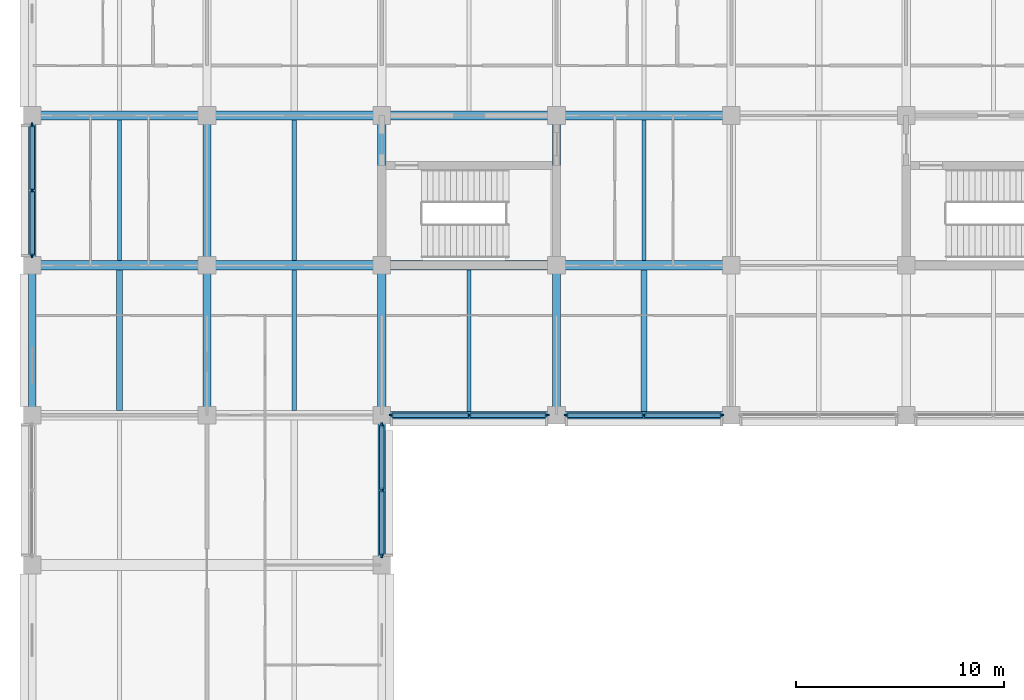
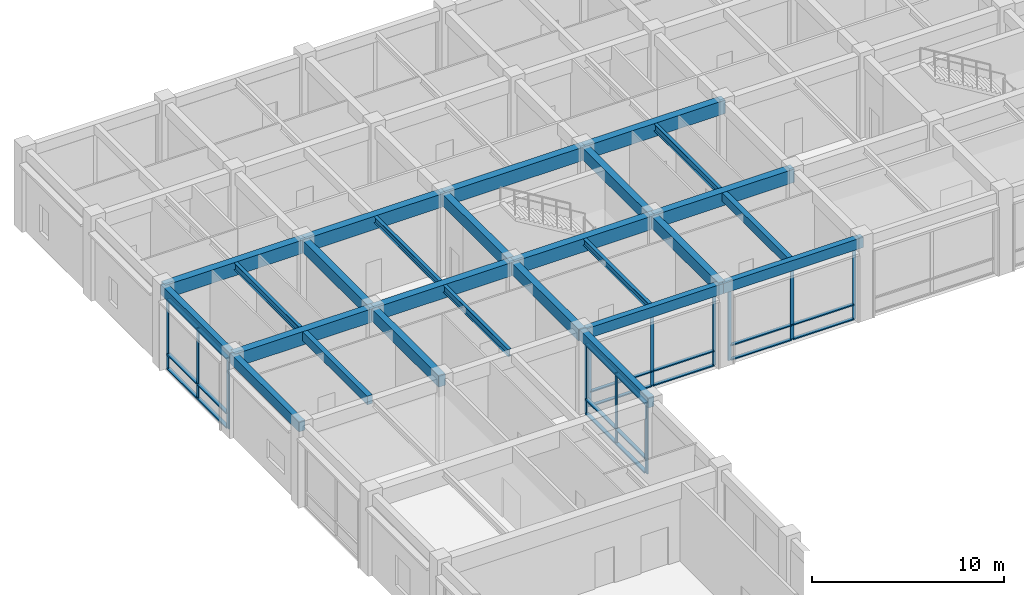
# One storey, part 3 of 51: 36 members, 26 beams, 4 elements without a shape of their own.
"""IFC4 building model written with IfcOpenShell, lengths in metres."""

from ifc_helpers import new_model, si_unit, direction, frame, origin, origin_2d, place, context, subcontext, project, spatial, rectangle, i_section, extrude, material, layer, layer_set, material_profile, profile_set, type_object, element, aggregate, save


model = new_model("IFC4")

# Units and contexts
model_context = context("Model", 3, precision=1e-05, world=origin(), true_north=direction((0.0, 1.0)))
body_context = subcontext(model_context, "Body", "Model", "MODEL_VIEW")
ifc_project = project(units=[si_unit("LENGTHUNIT", "METRE"), si_unit("AREAUNIT", "SQUARE_METRE"), si_unit("VOLUMEUNIT", "CUBIC_METRE"), si_unit("PLANEANGLEUNIT", "RADIAN"), si_unit("MASSUNIT", "GRAM", prefix="KILO")], contexts=[model_context])

# Site, building, storey
site_placement = place(None, origin())
site = spatial("IfcSite", under=ifc_project, at=site_placement, CompositionType="ELEMENT")
building_placement = place(site_placement, origin())
building = spatial("IfcBuilding", under=site, at=building_placement, Name="Chengyuan Square Courthouse", CompositionType="ELEMENT")
storey_placement = place(building_placement, frame((0.0, 0.0, 10.800048828125)))
storey = spatial("IfcBuildingStorey", under=building, at=storey_placement, Name="L03", CompositionType="ELEMENT", Elevation=10.800048828125)

# Beams
ifc_material_1 = material(Name="Concrete C40", Category="concrete")
ifc_material_profile_1 = material_profile(ifc_material_1, rectangle(XDim=0.449951171875, YDim=0.85009765625, at=origin_2d()), Name="RC-BM-450x850")
ifc_profile_set_1 = profile_set([ifc_material_profile_1], Name="Concrete C40")
beam_type_1 = type_object("IfcBeamType", Name="BM-01", PredefinedType="USERDEFINED", material=ifc_profile_set_1)
beam_1_placement = place(storey_placement, frame((0.0, 86.39990234375, 4.695068359375), z_axis=(1.0, 0.0, 0.0), x_axis=(0.0, 1.0, 0.0)))
element("IfcBeam", 1, at=beam_1_placement, inside=storey, type_object=beam_type_1, Name="Girder BM-L03-2544", ObjectType="GIRDER", PredefinedType="USERDEFINED", context=body_context, shape_type="SweptSolid", body=[
    extrude(rectangle(XDim=0.449951171875, YDim=0.85009765625, at=origin_2d()), origin(), (0.0, 0.0, 1.0), 8.39990234375),
])
beam_2_placement = place(storey_placement, frame((8.39990234375, 86.39990234375, 4.695068359375), z_axis=(1.0, 0.0, 0.0), x_axis=(0.0, 1.0, 0.0)))
element("IfcBeam", 2, at=beam_2_placement, inside=storey, type_object=beam_type_1, Name="Girder BM-L03-2545", ObjectType="GIRDER", PredefinedType="USERDEFINED", context=body_context, shape_type="SweptSolid", body=[
    extrude(rectangle(XDim=0.449951171875, YDim=0.85009765625, at=origin_2d()), origin(), (0.0, 0.0, 1.0), 8.400146484375),
])
beam_3_placement = place(storey_placement, frame((16.800048828125, 86.39990234375, 4.695068359375), z_axis=(1.0, 0.0, 0.0), x_axis=(0.0, 1.0, 0.0)))
element("IfcBeam", 3, at=beam_3_placement, inside=storey, type_object=beam_type_1, Name="Girder BM-L03-2546", ObjectType="GIRDER", PredefinedType="USERDEFINED", context=body_context, shape_type="SweptSolid", body=[
    extrude(rectangle(XDim=0.449951171875, YDim=0.85009765625, at=origin_2d()), origin(), (0.0, 0.0, 1.0), 8.39990234375),
])
beam_4_placement = place(storey_placement, frame((25.199951171875, 86.39990234375, 4.695068359375), z_axis=(1.0, 0.0, 0.0), x_axis=(0.0, 1.0, 0.0)))
element("IfcBeam", 4, at=beam_4_placement, inside=storey, type_object=beam_type_1, Name="Girder BM-L03-2547", ObjectType="GIRDER", PredefinedType="USERDEFINED", context=body_context, shape_type="SweptSolid", body=[
    extrude(rectangle(XDim=0.449951171875, YDim=0.85009765625, at=origin_2d()), origin(), (0.0, 0.0, 1.0), 8.400146484375),
])
beam_5_placement = place(storey_placement, frame((0.0, 93.60009765625, 4.695068359375), z_axis=(1.0, 0.0, 0.0), x_axis=(0.0, 1.0, 0.0)))
element("IfcBeam", 5, at=beam_5_placement, inside=storey, type_object=beam_type_1, Name="Girder BM-L03-2564", ObjectType="GIRDER", PredefinedType="USERDEFINED", context=body_context, shape_type="SweptSolid", body=[
    extrude(rectangle(XDim=0.449951171875, YDim=0.85009765625, at=origin_2d()), origin(), (0.0, 0.0, 1.0), 8.39990234375),
])
beam_6_placement = place(storey_placement, frame((8.39990234375, 93.60009765625, 4.695068359375), z_axis=(1.0, 0.0, 0.0), x_axis=(0.0, 1.0, 0.0)))
element("IfcBeam", 6, at=beam_6_placement, inside=storey, type_object=beam_type_1, Name="Girder BM-L03-2565", ObjectType="GIRDER", PredefinedType="USERDEFINED", context=body_context, shape_type="SweptSolid", body=[
    extrude(rectangle(XDim=0.449951171875, YDim=0.85009765625, at=origin_2d()), origin(), (0.0, 0.0, 1.0), 8.400146484375),
])
beam_7_placement = place(storey_placement, frame((16.800048828125, 93.60009765625, 4.695068359375), z_axis=(1.0, 0.0, 0.0), x_axis=(0.0, 1.0, 0.0)))
element("IfcBeam", 7, at=beam_7_placement, inside=storey, type_object=beam_type_1, Name="Girder BM-L03-2566", ObjectType="GIRDER", PredefinedType="USERDEFINED", context=body_context, shape_type="SweptSolid", body=[
    extrude(rectangle(XDim=0.449951171875, YDim=0.85009765625, at=origin_2d()), origin(), (0.0, 0.0, 1.0), 8.39990234375),
])
beam_8_placement = place(storey_placement, frame((25.199951171875, 93.60009765625, 4.695068359375), z_axis=(1.0, 0.0, 0.0), x_axis=(0.0, 1.0, 0.0)))
element("IfcBeam", 8, at=beam_8_placement, inside=storey, type_object=beam_type_1, Name="Girder BM-L03-2567", ObjectType="GIRDER", PredefinedType="USERDEFINED", context=body_context, shape_type="SweptSolid", body=[
    extrude(rectangle(XDim=0.449951171875, YDim=0.85009765625, at=origin_2d()), origin(), (0.0, 0.0, 1.0), 8.400146484375),
])
ifc_material_profile_2 = material_profile(ifc_material_1, rectangle(XDim=0.39990234375, YDim=0.75, at=origin_2d()), Name="RC-BM-400x750")
ifc_profile_set_2 = profile_set([ifc_material_profile_2], Name="Concrete C40")
beam_type_2 = type_object("IfcBeamType", Name="BM-02", PredefinedType="USERDEFINED", material=ifc_profile_set_2)
beam_9_placement = place(storey_placement, frame((8.39990234375, 79.199951171875, 4.744873046875), z_axis=(0.0, 1.0, 0.0), x_axis=(-1.0, 0.0, 0.0)))
element("IfcBeam", 9, at=beam_9_placement, inside=storey, type_object=beam_type_2, Name="Girder BM-L03-2642", ObjectType="GIRDER", PredefinedType="USERDEFINED", context=body_context, shape_type="SweptSolid", body=[
    extrude(rectangle(XDim=0.39990234375, YDim=0.75, at=origin_2d()), origin(), (0.0, 0.0, 1.0), 7.199951171875),
])
beam_10_placement = place(storey_placement, frame((8.39990234375, 86.39990234375, 4.744873046875), z_axis=(0.0, 1.0, 0.0), x_axis=(-1.0, 0.0, 0.0)))
element("IfcBeam", 10, at=beam_10_placement, inside=storey, type_object=beam_type_2, Name="Girder BM-L03-2643", ObjectType="GIRDER", PredefinedType="USERDEFINED", context=body_context, shape_type="SweptSolid", body=[
    extrude(rectangle(XDim=0.39990234375, YDim=0.75, at=origin_2d()), origin(), (0.0, 0.0, 1.0), 7.2001953125),
])
beam_11_placement = place(storey_placement, frame((16.800048828125, 79.199951171875, 4.744873046875), z_axis=(0.0, 1.0, 0.0), x_axis=(-1.0, 0.0, 0.0)))
element("IfcBeam", 11, at=beam_11_placement, inside=storey, type_object=beam_type_2, Name="Girder BM-L03-2652", ObjectType="GIRDER", PredefinedType="USERDEFINED", context=body_context, shape_type="SweptSolid", body=[
    extrude(rectangle(XDim=0.39990234375, YDim=0.75, at=origin_2d()), origin(), (0.0, 0.0, 1.0), 7.199951171875),
])
beam_12_placement = place(storey_placement, frame((16.800048828125, 86.39990234375, 4.744873046875), z_axis=(0.0, 1.0, 0.0), x_axis=(-1.0, 0.0, 0.0)))
element("IfcBeam", 12, at=beam_12_placement, inside=storey, type_object=beam_type_2, Name="Girder BM-L03-2653", ObjectType="GIRDER", PredefinedType="USERDEFINED", context=body_context, shape_type="SweptSolid", body=[
    extrude(rectangle(XDim=0.39990234375, YDim=0.75, at=origin_2d()), origin(), (0.0, 0.0, 1.0), 7.2001953125),
])
beam_13_placement = place(storey_placement, frame((25.199951171875, 79.199951171875, 4.744873046875), z_axis=(0.0, 1.0, 0.0), x_axis=(-1.0, 0.0, 0.0)))
element("IfcBeam", 13, at=beam_13_placement, inside=storey, type_object=beam_type_2, Name="Girder BM-L03-2656", ObjectType="GIRDER", PredefinedType="USERDEFINED", context=body_context, shape_type="SweptSolid", body=[
    extrude(rectangle(XDim=0.39990234375, YDim=0.75, at=origin_2d()), origin(), (0.0, 0.0, 1.0), 7.199951171875),
])
beam_14_placement = place(storey_placement, frame((25.199951171875, 86.39990234375, 4.744873046875), z_axis=(0.0, 1.0, 0.0), x_axis=(-1.0, 0.0, 0.0)))
element("IfcBeam", 14, at=beam_14_placement, inside=storey, type_object=beam_type_2, Name="Girder BM-L03-2657", ObjectType="GIRDER", PredefinedType="USERDEFINED", context=body_context, shape_type="SweptSolid", body=[
    extrude(rectangle(XDim=0.39990234375, YDim=0.75, at=origin_2d()), origin(), (0.0, 0.0, 1.0), 7.2001953125),
])
ifc_material_profile_3 = material_profile(ifc_material_1, rectangle(XDim=0.35009765625, YDim=0.64990234375, at=origin_2d()), Name="RC-BM-350x650")
ifc_profile_set_3 = profile_set([ifc_material_profile_3], Name="Concrete C40")
beam_type_3 = type_object("IfcBeamType", Name="BM-03", PredefinedType="SPANDREL", material=ifc_profile_set_3)
beam_15_placement = place(storey_placement, frame((16.800048828125, 79.199951171875, 4.794921875), z_axis=(1.0, 0.0, 0.0), x_axis=(0.0, 1.0, 0.0)))
element("IfcBeam", 15, at=beam_15_placement, inside=storey, type_object=beam_type_3, Name="Girder BM-L03-2526", PredefinedType="SPANDREL", context=body_context, shape_type="SweptSolid", body=[
    extrude(rectangle(XDim=0.35009765625, YDim=0.64990234375, at=origin_2d()), origin(), (0.0, 0.0, 1.0), 8.39990234375),
])
beam_16_placement = place(storey_placement, frame((25.199951171875, 79.199951171875, 4.794921875), z_axis=(1.0, 0.0, 0.0), x_axis=(0.0, 1.0, 0.0)))
element("IfcBeam", 16, at=beam_16_placement, inside=storey, type_object=beam_type_3, Name="Girder BM-L03-2527", PredefinedType="SPANDREL", context=body_context, shape_type="SweptSolid", body=[
    extrude(rectangle(XDim=0.35009765625, YDim=0.64990234375, at=origin_2d()), origin(), (0.0, 0.0, 1.0), 8.400146484375),
])
beam_17_placement = place(storey_placement, frame((0.0, 79.199951171875, 4.794921875), z_axis=(0.0, 1.0, 0.0), x_axis=(-1.0, 0.0, 0.0)))
element("IfcBeam", 17, at=beam_17_placement, inside=storey, type_object=beam_type_3, Name="Girder BM-L03-2638", PredefinedType="SPANDREL", context=body_context, shape_type="SweptSolid", body=[
    extrude(rectangle(XDim=0.35009765625, YDim=0.64990234375, at=origin_2d()), origin(), (0.0, 0.0, 1.0), 7.199951171875),
])
beam_18_placement = place(storey_placement, frame((0.0, 86.39990234375, 4.794921875), z_axis=(0.0, 1.0, 0.0), x_axis=(-1.0, 0.0, 0.0)))
element("IfcBeam", 18, at=beam_18_placement, inside=storey, type_object=beam_type_3, Name="Girder BM-L03-2639", PredefinedType="SPANDREL", context=body_context, shape_type="SweptSolid", body=[
    extrude(rectangle(XDim=0.35009765625, YDim=0.64990234375, at=origin_2d()), origin(), (0.0, 0.0, 1.0), 7.2001953125),
])
beam_19_placement = place(storey_placement, frame((16.800048828125, 72.0, 4.794921875), z_axis=(0.0, 1.0, 0.0), x_axis=(-1.0, 0.0, 0.0)))
element("IfcBeam", 19, at=beam_19_placement, inside=storey, type_object=beam_type_3, Name="Girder BM-L03-2651", PredefinedType="SPANDREL", context=body_context, shape_type="SweptSolid", body=[
    extrude(rectangle(XDim=0.35009765625, YDim=0.64990234375, at=origin_2d()), origin(), (0.0, 0.0, 1.0), 7.199951171875),
])
ifc_material_profile_4 = material_profile(ifc_material_1, rectangle(XDim=0.300048828125, YDim=0.550048828125, at=origin_2d()), Name="RC-BM-300x550")
ifc_profile_set_4 = profile_set([ifc_material_profile_4], Name="Concrete C40")
beam_type_4 = type_object("IfcBeamType", Name="BM-04", PredefinedType="BEAM", material=ifc_profile_set_4)
beam_20_placement = place(storey_placement, frame((4.199951171875, 79.425048828125, 4.844970703125), z_axis=(0.0, 1.0, 0.0), x_axis=(-1.0, 0.0, 0.0)))
element("IfcBeam", 20, at=beam_20_placement, inside=storey, type_object=beam_type_4, Name="Secondary Floor Beam SBM-L03-2757", PredefinedType="BEAM", context=body_context, shape_type="SweptSolid", body=[
    extrude(rectangle(XDim=0.300048828125, YDim=0.550048828125, at=origin_2d()), origin(), (0.0, 0.0, 1.0), 6.75),
])
beam_21_placement = place(storey_placement, frame((29.39990234375, 79.375, 4.844970703125), z_axis=(0.0, 1.0, 0.0), x_axis=(-1.0, 0.0, 0.0)))
element("IfcBeam", 21, at=beam_21_placement, inside=storey, type_object=beam_type_4, Name="Secondary Floor Beam SBM-L03-2771", PredefinedType="BEAM", context=body_context, shape_type="SweptSolid", body=[
    extrude(rectangle(XDim=0.300048828125, YDim=0.550048828125, at=origin_2d()), origin(), (0.0, 0.0, 1.0), 6.800048828125),
])
ifc_material_2 = material(Name="Steel Q355B", Category="steel")
ifc_material_profile_5 = material_profile(ifc_material_2, i_section(OverallWidth=0.199951171875, OverallDepth=0.449951171875, WebThickness=0.009033203125, FlangeThickness=0.013916015625, at=origin_2d()), Name="HN 450x200x9x14")
ifc_profile_set_5 = profile_set([ifc_material_profile_5], Name="Steel Q355B")
beam_type_5 = type_object("IfcBeamType", Name="BM-06", PredefinedType="BEAM", material=ifc_profile_set_5)
for number, where, z_axis, x_axis, name in (
    (22, (4.199951171875, 86.625, 4.89501953125), (0.0, 1.0, 0.0), (-1.0, 0.0, 0.0), "Secondary Floor Beam SBM-L03-2758"),
    (23, (12.60009765625, 79.425048828125, 4.89501953125), (0.0, 1.0, 0.0), (-1.0, 0.0, 0.0), "Secondary Floor Beam SBM-L03-2764"),
    (24, (29.39990234375, 86.625, 4.89501953125), (0.0, 1.0, 0.0), (-1.0, 0.0, 0.0), "Secondary Floor Beam SBM-L03-2772"),
):
    element("IfcBeam", number, at=place(storey_placement, frame(where, z_axis=z_axis, x_axis=x_axis)), inside=storey, type_object=beam_type_5, Name=name, PredefinedType="BEAM", context=body_context, shape_type="SweptSolid", body=[
        extrude(i_section(OverallWidth=0.199951171875, OverallDepth=0.449951171875, WebThickness=0.009033203125, FlangeThickness=0.013916015625, at=origin_2d()), origin(), (0.0, 0.0, 1.0), 6.75),
    ])
ifc_material_profile_6 = material_profile(ifc_material_2, i_section(OverallWidth=0.199951171875, OverallDepth=0.39990234375, WebThickness=0.008056640625, FlangeThickness=0.012939453125, at=origin_2d()), Name="HN 400x200x8x13")
ifc_profile_set_6 = profile_set([ifc_material_profile_6], Name="Steel Q355B")
beam_type_6 = type_object("IfcBeamType", Name="BM-07", PredefinedType="BEAM", material=ifc_profile_set_6)
beam_22_placement = place(storey_placement, frame((12.60009765625, 86.625, 4.919921875), z_axis=(0.0, 1.0, 0.0), x_axis=(-1.0, 0.0, 0.0)))
element("IfcBeam", 25, at=beam_22_placement, inside=storey, type_object=beam_type_6, Name="Secondary Floor Beam SBM-L03-2765", PredefinedType="BEAM", context=body_context, shape_type="SweptSolid", body=[
    extrude(i_section(OverallWidth=0.199951171875, OverallDepth=0.39990234375, WebThickness=0.008056640625, FlangeThickness=0.012939453125, at=origin_2d()), origin(), (0.0, 0.0, 1.0), 6.75),
])
beam_23_placement = place(storey_placement, frame((21.0, 79.375, 4.919921875), z_axis=(0.0, 1.0, 0.0), x_axis=(-1.0, 0.0, 0.0)))
element("IfcBeam", 26, at=beam_23_placement, inside=storey, type_object=beam_type_6, Name="Secondary Floor Beam SBM-L03-2768", PredefinedType="BEAM", context=body_context, shape_type="SweptSolid", body=[
    extrude(i_section(OverallWidth=0.199951171875, OverallDepth=0.39990234375, WebThickness=0.008056640625, FlangeThickness=0.012939453125, at=origin_2d()), origin(), (0.0, 0.0, 1.0), 6.800048828125),
])

# Curtain wall, members
ifc_material_3 = material(Name="Unitised Aluminium and Triple Low-E Glass", Category="aluminium")
ifc_layer_1 = layer(ifc_material_3, 0.199951171875)
ifc_layer_set_1 = layer_set([ifc_layer_1], Name="Unitised Aluminium and Triple Low-E Glass")
curtain_wall_type_1 = type_object("IfcCurtainWallType", Name="CW-07", PredefinedType="USERDEFINED", material=ifc_layer_set_1)
curtain_wall_1_placement = place(storey_placement, origin())
curtain_wall_1 = element("IfcCurtainWall", 27, at=curtain_wall_1_placement, inside=storey, type_object=curtain_wall_type_1, Name="Unitised Curtain Wall CW-L03-097", ObjectType="UNITISED CURTAIN WALL", PredefinedType="USERDEFINED")
ifc_material_4 = material(Name="Aluminium 6063-T6 Frame", Category="aluminium")
ifc_material_profile_7 = material_profile(ifc_material_4, rectangle(XDim=0.070068359375, YDim=0.199951171875, at=origin_2d()), Name="CW-MUL-70x200")
ifc_profile_set_7 = profile_set([ifc_material_profile_7], Name="Aluminium 6063-T6 Frame")
member_type_1 = type_object("IfcMemberType", Name="CWM-03", PredefinedType="MULLION", material=ifc_profile_set_7)
member_1_placement = place(storey_placement, frame((17.260009765625, 79.199951171875, 0.0), z_axis=(0.0, 0.0, 1.0), x_axis=(0.0, 1.0, 0.0)))
member_1 = element("IfcMember", 28, at=member_1_placement, type_object=member_type_1, Name="CW-07 mullion 1", PredefinedType="MULLION", context=body_context, shape_type="SweptSolid", body=[
    extrude(rectangle(XDim=0.070068359375, YDim=0.199951171875, at=origin_2d()), origin(), (0.0, 0.0, 1.0), 4.469970703125),
])
member_2_placement = place(storey_placement, frame((21.0, 79.199951171875, 0.0), z_axis=(0.0, 0.0, 1.0), x_axis=(0.0, 1.0, 0.0)))
member_2 = element("IfcMember", 29, at=member_2_placement, type_object=member_type_1, Name="CW-07 mullion 2", PredefinedType="MULLION", context=body_context, shape_type="SweptSolid", body=[
    extrude(rectangle(XDim=0.070068359375, YDim=0.199951171875, at=origin_2d()), origin(), (0.0, 0.0, 1.0), 4.469970703125),
])
member_3_placement = place(storey_placement, frame((24.739990234375, 79.199951171875, 0.0), z_axis=(0.0, 0.0, 1.0), x_axis=(0.0, 1.0, 0.0)))
member_3 = element("IfcMember", 30, at=member_3_placement, type_object=member_type_1, Name="CW-07 mullion 3", PredefinedType="MULLION", context=body_context, shape_type="SweptSolid", body=[
    extrude(rectangle(XDim=0.070068359375, YDim=0.199951171875, at=origin_2d()), origin(), (0.0, 0.0, 1.0), 4.469970703125),
])

curtain_wall_2_placement = place(storey_placement, origin())
curtain_wall_2 = element("IfcCurtainWall", 31, at=curtain_wall_2_placement, inside=storey, type_object=curtain_wall_type_1, Name="Unitised Curtain Wall CW-L03-099", ObjectType="UNITISED CURTAIN WALL", PredefinedType="USERDEFINED")
member_4_placement = place(storey_placement, frame((25.659912109375, 79.199951171875, 0.0), z_axis=(0.0, 0.0, 1.0), x_axis=(0.0, 1.0, 0.0)))
member_4 = element("IfcMember", 32, at=member_4_placement, type_object=member_type_1, Name="CW-07 mullion 1", PredefinedType="MULLION", context=body_context, shape_type="SweptSolid", body=[
    extrude(rectangle(XDim=0.070068359375, YDim=0.199951171875, at=origin_2d()), origin(), (0.0, 0.0, 1.0), 4.469970703125),
])
member_5_placement = place(storey_placement, frame((29.39990234375, 79.199951171875, 0.0), z_axis=(0.0, 0.0, 1.0), x_axis=(0.0, 1.0, 0.0)))
member_5 = element("IfcMember", 33, at=member_5_placement, type_object=member_type_1, Name="CW-07 mullion 2", PredefinedType="MULLION", context=body_context, shape_type="SweptSolid", body=[
    extrude(rectangle(XDim=0.070068359375, YDim=0.199951171875, at=origin_2d()), origin(), (0.0, 0.0, 1.0), 4.469970703125),
])
member_6_placement = place(storey_placement, frame((33.139892578125, 79.199951171875, 0.0), z_axis=(0.0, 0.0, 1.0), x_axis=(0.0, 1.0, 0.0)))
member_6 = element("IfcMember", 34, at=member_6_placement, type_object=member_type_1, Name="CW-07 mullion 3", PredefinedType="MULLION", context=body_context, shape_type="SweptSolid", body=[
    extrude(rectangle(XDim=0.070068359375, YDim=0.199951171875, at=origin_2d()), origin(), (0.0, 0.0, 1.0), 4.469970703125),
])

ifc_layer_2 = layer(ifc_material_3, 0.219970703125)
ifc_layer_set_2 = layer_set([ifc_layer_2], Name="Unitised Aluminium and Triple Low-E Glass")
curtain_wall_type_2 = type_object("IfcCurtainWallType", Name="CW-20", PredefinedType="USERDEFINED", material=ifc_layer_set_2)
curtain_wall_3_placement = place(storey_placement, origin())
curtain_wall_3 = element("IfcCurtainWall", 35, at=curtain_wall_3_placement, inside=storey, type_object=curtain_wall_type_2, Name="Unitised Curtain Wall CW-L03-092", ObjectType="UNITISED CURTAIN WALL", PredefinedType="USERDEFINED")
ifc_material_profile_8 = material_profile(ifc_material_4, rectangle(XDim=0.080078125, YDim=0.219970703125, at=origin_2d()), Name="CW-MUL-80x220")
ifc_profile_set_8 = profile_set([ifc_material_profile_8], Name="Aluminium 6063-T6 Frame")
member_type_2 = type_object("IfcMemberType", Name="CWM-04", PredefinedType="MULLION", material=ifc_profile_set_8)
member_7_placement = place(storey_placement, frame((0.0, 86.864990234375, 0.0), z_axis=(0.0, 0.0, 1.0), x_axis=(-1.0, 0.0, 0.0)))
member_7 = element("IfcMember", 36, at=member_7_placement, type_object=member_type_2, Name="CW-20 mullion 1", PredefinedType="MULLION", context=body_context, shape_type="SweptSolid", body=[
    extrude(rectangle(XDim=0.080078125, YDim=0.219970703125, at=origin_2d()), origin(), (0.0, 0.0, 1.0), 4.469970703125),
])
member_8_placement = place(storey_placement, frame((0.0, 90.0, 0.0), z_axis=(0.0, 0.0, 1.0), x_axis=(-1.0, 0.0, 0.0)))
member_8 = element("IfcMember", 37, at=member_8_placement, type_object=member_type_2, Name="CW-20 mullion 2", PredefinedType="MULLION", context=body_context, shape_type="SweptSolid", body=[
    extrude(rectangle(XDim=0.080078125, YDim=0.219970703125, at=origin_2d()), origin(), (0.0, 0.0, 1.0), 4.469970703125),
])
member_9_placement = place(storey_placement, frame((0.0, 93.135009765625, 0.0), z_axis=(0.0, 0.0, 1.0), x_axis=(-1.0, 0.0, 0.0)))
member_9 = element("IfcMember", 38, at=member_9_placement, type_object=member_type_2, Name="CW-20 mullion 3", PredefinedType="MULLION", context=body_context, shape_type="SweptSolid", body=[
    extrude(rectangle(XDim=0.080078125, YDim=0.219970703125, at=origin_2d()), origin(), (0.0, 0.0, 1.0), 4.469970703125),
])

curtain_wall_4_placement = place(storey_placement, origin())
curtain_wall_4 = element("IfcCurtainWall", 39, at=curtain_wall_4_placement, inside=storey, type_object=curtain_wall_type_2, Name="Unitised Curtain Wall CW-L03-096", ObjectType="UNITISED CURTAIN WALL", PredefinedType="USERDEFINED")
member_10_placement = place(storey_placement, frame((16.800048828125, 72.465087890625, 0.0), z_axis=(0.0, 0.0, 1.0), x_axis=(-1.0, 0.0, 0.0)))
member_10 = element("IfcMember", 40, at=member_10_placement, type_object=member_type_2, Name="CW-20 mullion 1", PredefinedType="MULLION", context=body_context, shape_type="SweptSolid", body=[
    extrude(rectangle(XDim=0.080078125, YDim=0.219970703125, at=origin_2d()), origin(), (0.0, 0.0, 1.0), 4.469970703125),
])
member_11_placement = place(storey_placement, frame((16.800048828125, 75.60009765625, 0.0), z_axis=(0.0, 0.0, 1.0), x_axis=(-1.0, 0.0, 0.0)))
member_11 = element("IfcMember", 41, at=member_11_placement, type_object=member_type_2, Name="CW-20 mullion 2", PredefinedType="MULLION", context=body_context, shape_type="SweptSolid", body=[
    extrude(rectangle(XDim=0.080078125, YDim=0.219970703125, at=origin_2d()), origin(), (0.0, 0.0, 1.0), 4.469970703125),
])
member_12_placement = place(storey_placement, frame((16.800048828125, 78.735107421875, 0.0), z_axis=(0.0, 0.0, 1.0), x_axis=(-1.0, 0.0, 0.0)))
member_12 = element("IfcMember", 42, at=member_12_placement, type_object=member_type_2, Name="CW-20 mullion 3", PredefinedType="MULLION", context=body_context, shape_type="SweptSolid", body=[
    extrude(rectangle(XDim=0.080078125, YDim=0.219970703125, at=origin_2d()), origin(), (0.0, 0.0, 1.0), 4.469970703125),
])

# Member
ifc_material_profile_9 = material_profile(ifc_material_4, rectangle(XDim=0.199951171875, YDim=0.070068359375, at=origin_2d()), Name="CW-TRN-70x160")
ifc_profile_set_9 = profile_set([ifc_material_profile_9], Name="Aluminium 6063-T6 Frame")
member_type_3 = type_object("IfcMemberType", Name="CWT-03", PredefinedType="USERDEFINED", material=ifc_profile_set_9)
member_13_placement = place(storey_placement, frame((17.294921875, 79.199951171875, 0.034912109375), z_axis=(1.0, 0.0, 0.0), x_axis=(0.0, 1.0, 0.0)))
member_13 = element("IfcMember", 43, at=member_13_placement, type_object=member_type_3, Name="CW-07 transom 1.1", ObjectType="TRANSOM", PredefinedType="USERDEFINED", context=body_context, shape_type="SweptSolid", body=[
    extrude(rectangle(XDim=0.199951171875, YDim=0.070068359375, at=origin_2d()), origin(), (0.0, 0.0, 1.0), 3.670166015625),
])

member_14_placement = place(storey_placement, frame((17.294921875, 79.199951171875, 0.949951171875), z_axis=(1.0, 0.0, 0.0), x_axis=(0.0, 1.0, 0.0)))
member_14 = element("IfcMember", 44, at=member_14_placement, type_object=member_type_3, Name="CW-07 transom 1.2", ObjectType="TRANSOM", PredefinedType="USERDEFINED", context=body_context, shape_type="SweptSolid", body=[
    extrude(rectangle(XDim=0.199951171875, YDim=0.070068359375, at=origin_2d()), origin(), (0.0, 0.0, 1.0), 3.670166015625),
])

member_15_placement = place(storey_placement, frame((17.294921875, 79.199951171875, 4.43505859375), z_axis=(1.0, 0.0, 0.0), x_axis=(0.0, 1.0, 0.0)))
member_15 = element("IfcMember", 45, at=member_15_placement, type_object=member_type_3, Name="CW-07 transom 1.3", ObjectType="TRANSOM", PredefinedType="USERDEFINED", context=body_context, shape_type="SweptSolid", body=[
    extrude(rectangle(XDim=0.199951171875, YDim=0.070068359375, at=origin_2d()), origin(), (0.0, 0.0, 1.0), 3.670166015625),
])

member_16_placement = place(storey_placement, frame((21.034912109375, 79.199951171875, 0.034912109375), z_axis=(1.0, 0.0, 0.0), x_axis=(0.0, 1.0, 0.0)))
member_16 = element("IfcMember", 46, at=member_16_placement, type_object=member_type_3, Name="CW-07 transom 2.1", ObjectType="TRANSOM", PredefinedType="USERDEFINED", context=body_context, shape_type="SweptSolid", body=[
    extrude(rectangle(XDim=0.199951171875, YDim=0.070068359375, at=origin_2d()), origin(), (0.0, 0.0, 1.0), 3.670166015625),
])

member_17_placement = place(storey_placement, frame((21.034912109375, 79.199951171875, 0.949951171875), z_axis=(1.0, 0.0, 0.0), x_axis=(0.0, 1.0, 0.0)))
member_17 = element("IfcMember", 47, at=member_17_placement, type_object=member_type_3, Name="CW-07 transom 2.2", ObjectType="TRANSOM", PredefinedType="USERDEFINED", context=body_context, shape_type="SweptSolid", body=[
    extrude(rectangle(XDim=0.199951171875, YDim=0.070068359375, at=origin_2d()), origin(), (0.0, 0.0, 1.0), 3.670166015625),
])

member_18_placement = place(storey_placement, frame((21.034912109375, 79.199951171875, 4.43505859375), z_axis=(1.0, 0.0, 0.0), x_axis=(0.0, 1.0, 0.0)))
member_18 = element("IfcMember", 48, at=member_18_placement, type_object=member_type_3, Name="CW-07 transom 2.3", ObjectType="TRANSOM", PredefinedType="USERDEFINED", context=body_context, shape_type="SweptSolid", body=[
    extrude(rectangle(XDim=0.199951171875, YDim=0.070068359375, at=origin_2d()), origin(), (0.0, 0.0, 1.0), 3.670166015625),
])

aggregate(curtain_wall_1, [member_1, member_2, member_3, member_13, member_14, member_15, member_16, member_17, member_18])

member_19_placement = place(storey_placement, frame((25.695068359375, 79.199951171875, 0.034912109375), z_axis=(1.0, 0.0, 0.0), x_axis=(0.0, 1.0, 0.0)))
member_19 = element("IfcMember", 49, at=member_19_placement, type_object=member_type_3, Name="CW-07 transom 1.1", ObjectType="TRANSOM", PredefinedType="USERDEFINED", context=body_context, shape_type="SweptSolid", body=[
    extrude(rectangle(XDim=0.199951171875, YDim=0.070068359375, at=origin_2d()), origin(), (0.0, 0.0, 1.0), 3.669921875),
])

member_20_placement = place(storey_placement, frame((25.695068359375, 79.199951171875, 0.949951171875), z_axis=(1.0, 0.0, 0.0), x_axis=(0.0, 1.0, 0.0)))
member_20 = element("IfcMember", 50, at=member_20_placement, type_object=member_type_3, Name="CW-07 transom 1.2", ObjectType="TRANSOM", PredefinedType="USERDEFINED", context=body_context, shape_type="SweptSolid", body=[
    extrude(rectangle(XDim=0.199951171875, YDim=0.070068359375, at=origin_2d()), origin(), (0.0, 0.0, 1.0), 3.669921875),
])

member_21_placement = place(storey_placement, frame((25.695068359375, 79.199951171875, 4.43505859375), z_axis=(1.0, 0.0, 0.0), x_axis=(0.0, 1.0, 0.0)))
member_21 = element("IfcMember", 51, at=member_21_placement, type_object=member_type_3, Name="CW-07 transom 1.3", ObjectType="TRANSOM", PredefinedType="USERDEFINED", context=body_context, shape_type="SweptSolid", body=[
    extrude(rectangle(XDim=0.199951171875, YDim=0.070068359375, at=origin_2d()), origin(), (0.0, 0.0, 1.0), 3.669921875),
])

member_22_placement = place(storey_placement, frame((29.43505859375, 79.199951171875, 0.034912109375), z_axis=(1.0, 0.0, 0.0), x_axis=(0.0, 1.0, 0.0)))
member_22 = element("IfcMember", 52, at=member_22_placement, type_object=member_type_3, Name="CW-07 transom 2.1", ObjectType="TRANSOM", PredefinedType="USERDEFINED", context=body_context, shape_type="SweptSolid", body=[
    extrude(rectangle(XDim=0.199951171875, YDim=0.070068359375, at=origin_2d()), origin(), (0.0, 0.0, 1.0), 3.669921875),
])

member_23_placement = place(storey_placement, frame((29.43505859375, 79.199951171875, 0.949951171875), z_axis=(1.0, 0.0, 0.0), x_axis=(0.0, 1.0, 0.0)))
member_23 = element("IfcMember", 53, at=member_23_placement, type_object=member_type_3, Name="CW-07 transom 2.2", ObjectType="TRANSOM", PredefinedType="USERDEFINED", context=body_context, shape_type="SweptSolid", body=[
    extrude(rectangle(XDim=0.199951171875, YDim=0.070068359375, at=origin_2d()), origin(), (0.0, 0.0, 1.0), 3.669921875),
])

member_24_placement = place(storey_placement, frame((29.43505859375, 79.199951171875, 4.43505859375), z_axis=(1.0, 0.0, 0.0), x_axis=(0.0, 1.0, 0.0)))
member_24 = element("IfcMember", 54, at=member_24_placement, type_object=member_type_3, Name="CW-07 transom 2.3", ObjectType="TRANSOM", PredefinedType="USERDEFINED", context=body_context, shape_type="SweptSolid", body=[
    extrude(rectangle(XDim=0.199951171875, YDim=0.070068359375, at=origin_2d()), origin(), (0.0, 0.0, 1.0), 3.669921875),
])

aggregate(curtain_wall_2, [member_4, member_5, member_6, member_19, member_20, member_21, member_22, member_23, member_24])

ifc_material_profile_10 = material_profile(ifc_material_4, rectangle(XDim=0.219970703125, YDim=0.080078125, at=origin_2d()), Name="CW-TRN-80x180")
ifc_profile_set_10 = profile_set([ifc_material_profile_10], Name="Aluminium 6063-T6 Frame")
member_type_4 = type_object("IfcMemberType", Name="CWT-04", PredefinedType="USERDEFINED", material=ifc_profile_set_10)
member_25_placement = place(storey_placement, frame((0.0, 86.905029296875, 0.0400390625), z_axis=(0.0, 1.0, 0.0), x_axis=(-1.0, 0.0, 0.0)))
member_25 = element("IfcMember", 55, at=member_25_placement, type_object=member_type_4, Name="CW-20 transom 1.1", ObjectType="TRANSOM", PredefinedType="USERDEFINED", context=body_context, shape_type="SweptSolid", body=[
    extrude(rectangle(XDim=0.219970703125, YDim=0.080078125, at=origin_2d()), origin(), (0.0, 0.0, 1.0), 3.054931640625),
])

member_26_placement = place(storey_placement, frame((0.0, 86.905029296875, 0.949951171875), z_axis=(0.0, 1.0, 0.0), x_axis=(-1.0, 0.0, 0.0)))
member_26 = element("IfcMember", 56, at=member_26_placement, type_object=member_type_4, Name="CW-20 transom 1.2", ObjectType="TRANSOM", PredefinedType="USERDEFINED", context=body_context, shape_type="SweptSolid", body=[
    extrude(rectangle(XDim=0.219970703125, YDim=0.080078125, at=origin_2d()), origin(), (0.0, 0.0, 1.0), 3.054931640625),
])

member_27_placement = place(storey_placement, frame((0.0, 86.905029296875, 4.429931640625), z_axis=(0.0, 1.0, 0.0), x_axis=(-1.0, 0.0, 0.0)))
member_27 = element("IfcMember", 57, at=member_27_placement, type_object=member_type_4, Name="CW-20 transom 1.3", ObjectType="TRANSOM", PredefinedType="USERDEFINED", context=body_context, shape_type="SweptSolid", body=[
    extrude(rectangle(XDim=0.219970703125, YDim=0.080078125, at=origin_2d()), origin(), (0.0, 0.0, 1.0), 3.054931640625),
])

member_28_placement = place(storey_placement, frame((0.0, 90.0400390625, 0.0400390625), z_axis=(0.0, 1.0, 0.0), x_axis=(-1.0, 0.0, 0.0)))
member_28 = element("IfcMember", 58, at=member_28_placement, type_object=member_type_4, Name="CW-20 transom 2.1", ObjectType="TRANSOM", PredefinedType="USERDEFINED", context=body_context, shape_type="SweptSolid", body=[
    extrude(rectangle(XDim=0.219970703125, YDim=0.080078125, at=origin_2d()), origin(), (0.0, 0.0, 1.0), 3.054931640625),
])

member_29_placement = place(storey_placement, frame((0.0, 90.0400390625, 0.949951171875), z_axis=(0.0, 1.0, 0.0), x_axis=(-1.0, 0.0, 0.0)))
member_29 = element("IfcMember", 59, at=member_29_placement, type_object=member_type_4, Name="CW-20 transom 2.2", ObjectType="TRANSOM", PredefinedType="USERDEFINED", context=body_context, shape_type="SweptSolid", body=[
    extrude(rectangle(XDim=0.219970703125, YDim=0.080078125, at=origin_2d()), origin(), (0.0, 0.0, 1.0), 3.054931640625),
])

member_30_placement = place(storey_placement, frame((0.0, 90.0400390625, 4.429931640625), z_axis=(0.0, 1.0, 0.0), x_axis=(-1.0, 0.0, 0.0)))
member_30 = element("IfcMember", 60, at=member_30_placement, type_object=member_type_4, Name="CW-20 transom 2.3", ObjectType="TRANSOM", PredefinedType="USERDEFINED", context=body_context, shape_type="SweptSolid", body=[
    extrude(rectangle(XDim=0.219970703125, YDim=0.080078125, at=origin_2d()), origin(), (0.0, 0.0, 1.0), 3.054931640625),
])

aggregate(curtain_wall_3, [member_7, member_8, member_9, member_25, member_26, member_27, member_28, member_29, member_30])

member_31_placement = place(storey_placement, frame((16.800048828125, 72.5048828125, 0.0400390625), z_axis=(0.0, 1.0, 0.0), x_axis=(-1.0, 0.0, 0.0)))
member_31 = element("IfcMember", 61, at=member_31_placement, type_object=member_type_4, Name="CW-20 transom 1.1", ObjectType="TRANSOM", PredefinedType="USERDEFINED", context=body_context, shape_type="SweptSolid", body=[
    extrude(rectangle(XDim=0.219970703125, YDim=0.080078125, at=origin_2d()), origin(), (0.0, 0.0, 1.0), 3.05517578125),
])

member_32_placement = place(storey_placement, frame((16.800048828125, 72.5048828125, 0.949951171875), z_axis=(0.0, 1.0, 0.0), x_axis=(-1.0, 0.0, 0.0)))
member_32 = element("IfcMember", 62, at=member_32_placement, type_object=member_type_4, Name="CW-20 transom 1.2", ObjectType="TRANSOM", PredefinedType="USERDEFINED", context=body_context, shape_type="SweptSolid", body=[
    extrude(rectangle(XDim=0.219970703125, YDim=0.080078125, at=origin_2d()), origin(), (0.0, 0.0, 1.0), 3.05517578125),
])

member_33_placement = place(storey_placement, frame((16.800048828125, 72.5048828125, 4.429931640625), z_axis=(0.0, 1.0, 0.0), x_axis=(-1.0, 0.0, 0.0)))
member_33 = element("IfcMember", 63, at=member_33_placement, type_object=member_type_4, Name="CW-20 transom 1.3", ObjectType="TRANSOM", PredefinedType="USERDEFINED", context=body_context, shape_type="SweptSolid", body=[
    extrude(rectangle(XDim=0.219970703125, YDim=0.080078125, at=origin_2d()), origin(), (0.0, 0.0, 1.0), 3.05517578125),
])

member_34_placement = place(storey_placement, frame((16.800048828125, 75.639892578125, 0.0400390625), z_axis=(0.0, 1.0, 0.0), x_axis=(-1.0, 0.0, 0.0)))
member_34 = element("IfcMember", 64, at=member_34_placement, type_object=member_type_4, Name="CW-20 transom 2.1", ObjectType="TRANSOM", PredefinedType="USERDEFINED", context=body_context, shape_type="SweptSolid", body=[
    extrude(rectangle(XDim=0.219970703125, YDim=0.080078125, at=origin_2d()), origin(), (0.0, 0.0, 1.0), 3.05517578125),
])

member_35_placement = place(storey_placement, frame((16.800048828125, 75.639892578125, 0.949951171875), z_axis=(0.0, 1.0, 0.0), x_axis=(-1.0, 0.0, 0.0)))
member_35 = element("IfcMember", 65, at=member_35_placement, type_object=member_type_4, Name="CW-20 transom 2.2", ObjectType="TRANSOM", PredefinedType="USERDEFINED", context=body_context, shape_type="SweptSolid", body=[
    extrude(rectangle(XDim=0.219970703125, YDim=0.080078125, at=origin_2d()), origin(), (0.0, 0.0, 1.0), 3.05517578125),
])

member_36_placement = place(storey_placement, frame((16.800048828125, 75.639892578125, 4.429931640625), z_axis=(0.0, 1.0, 0.0), x_axis=(-1.0, 0.0, 0.0)))
member_36 = element("IfcMember", 66, at=member_36_placement, type_object=member_type_4, Name="CW-20 transom 2.3", ObjectType="TRANSOM", PredefinedType="USERDEFINED", context=body_context, shape_type="SweptSolid", body=[
    extrude(rectangle(XDim=0.219970703125, YDim=0.080078125, at=origin_2d()), origin(), (0.0, 0.0, 1.0), 3.05517578125),
])

aggregate(curtain_wall_4, [member_10, member_11, member_12, member_31, member_32, member_33, member_34, member_35, member_36])

save(model, "model.ifc")
